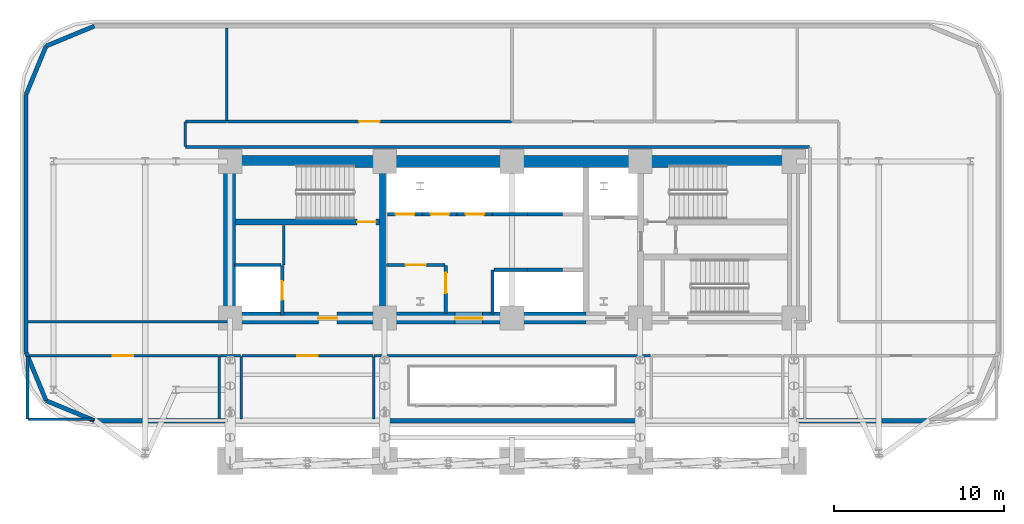
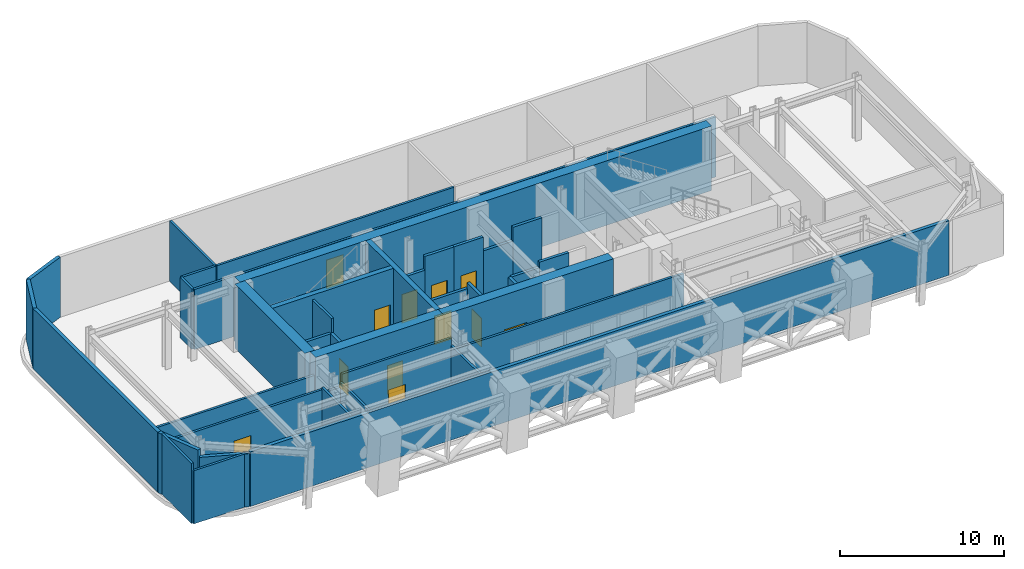
# One storey, part 8 of 12: 40 walls, 12 doors, 12 openings.
"""IFC4 building model written with IfcOpenShell, lengths in metres."""

from ifc_helpers import new_model, si_unit, direction, frame, frame_2d, origin, place, context, subcontext, project, spatial, rectangle, extrude, material, layer, layer_set, type_object, element, fill, save


model = new_model("IFC4")

# Units and contexts
model_context = context("Model", 3, precision=1e-05, world=origin(), true_north=direction((0.0, 1.0)))
body_context = subcontext(model_context, "Body", "Model", "MODEL_VIEW")
ifc_project = project(units=[si_unit("LENGTHUNIT", "METRE"), si_unit("AREAUNIT", "SQUARE_METRE"), si_unit("VOLUMEUNIT", "CUBIC_METRE"), si_unit("PLANEANGLEUNIT", "RADIAN"), si_unit("MASSUNIT", "GRAM", prefix="KILO")], contexts=[model_context])

# Site, building, storey
site_placement = place(None, origin())
site = spatial("IfcSite", under=ifc_project, at=site_placement, CompositionType="ELEMENT")
building_placement = place(site_placement, origin())
building = spatial("IfcBuilding", under=site, at=building_placement, Name="Zarnavel Station Tower", CompositionType="ELEMENT")
storey_placement = place(building_placement, frame((0.0, 0.0, 74.5)))
storey = spatial("IfcBuildingStorey", under=building, at=storey_placement, Name="L20", CompositionType="ELEMENT", Elevation=74.5)

# Wall
ifc_material_1 = material(Name="Concrete C50/60", Category="concrete")
ifc_layer_1 = layer(ifc_material_1, 0.35009765625)
ifc_layer_set_1 = layer_set([ifc_layer_1], Name="CW_350")
wall_type_1 = type_object("IfcWallType", Name="CW_350", PredefinedType="SHEAR", material=ifc_layer_set_1)
wall_1_placement = place(storey_placement, frame((21.179931640625, 28.169921875, 0.0), z_axis=(0.0, 0.0, 1.0), x_axis=(0.0, 1.0, 0.0)))
element("IfcWall", 1, at=wall_1_placement, inside=storey, type_object=wall_type_1, Name="L20 Rear Core Shear Wall DIV-W", PredefinedType="SHEAR", context=body_context, shape_type="SweptSolid", body=[
    extrude(rectangle(XDim=8.530029296875, YDim=0.35009765625, at=frame_2d((4.26513671875, 0.0))), origin(), (0.0, 0.0, 1.0), 4.800048828125),
])

# Wall, opening, door
wall_2_placement = place(storey_placement, frame((21.0048828125, 33.47998046875, 0.0), z_axis=(0.0, 0.0, 1.0), x_axis=(-1.0, 0.0, 0.0)))
wall_2 = element("IfcWall", 2, at=wall_2_placement, inside=storey, type_object=wall_type_1, Name="L20 Rear Core Shear Wall DIV-H1", PredefinedType="SHEAR", context=body_context, shape_type="SweptSolid", body=[
    extrude(rectangle(XDim=8.5048828125, YDim=0.35009765625, at=frame_2d((4.25244140625, 0.0))), origin(), (0.0, 0.0, 1.0), 4.800048828125),
])
opening_1_placement = place(wall_2_placement, frame((0.219970703125, 0.0, 0.0)))
opening_1 = element("IfcOpeningElement", 3, at=opening_1_placement, cuts=wall_2, Name="Opening FD01", PredefinedType="OPENING", context=body_context, shape_type="SweptSolid", body=[
    extrude(rectangle(XDim=1.10009765625, YDim=2.14990234375, at=frame_2d((0.550048828125, 1.074951171875))), frame((0.0, 0.18505859375, 0.0), z_axis=(0.0, -1.0, 0.0), x_axis=(1.0, 0.0, 0.0)), (0.0, 0.0, 1.0), 0.3701171875),
])
ifc_material_2 = material(Name="Painted Galvanised Steel and Hardwood Leaf", Category="steel")
door_type_1 = type_object("IfcDoorType", Name="ID_STAIR_1100", OperationType="NOTDEFINED", PredefinedType="DOOR", material=ifc_material_2)
door_1_placement = place(opening_1_placement, origin())
door_1 = element("IfcDoor", 4, at=door_1_placement, inside=storey, type_object=door_type_1, Name="L20 Stair ST1 Lobby Fire Door", OperationType="SINGLE_SWING_LEFT", OverallHeight=2.14990234375, OverallWidth=1.10009765625, PredefinedType="DOOR", context=body_context, shape_type="SweptSolid", body=[
    extrude(rectangle(XDim=1.10009765625, YDim=2.14990234375, at=frame_2d((0.550048828125, 1.074951171875))), frame((0.0, 0.02490234375, 0.0), z_axis=(0.0, -1.0, 0.0), x_axis=(1.0, 0.0, 0.0)), (0.0, 0.0, 1.0), 0.050048828125),
])
fill(opening_1, door_1)

# Wall
ifc_material_3 = material(Name="Concrete C60/75", Category="concrete")
ifc_layer_2 = layer(ifc_material_3, 0.699951171875)
ifc_layer_set_2 = layer_set([ifc_layer_2], Name="CW_700")
wall_type_2 = type_object("IfcWallType", Name="CW_700", PredefinedType="SHEAR", material=ifc_layer_set_2)
wall_3_placement = place(storey_placement, frame((12.14990234375, 37.050048828125, 0.0), z_axis=(0.0, 0.0, 1.0), x_axis=(1.0, 0.0, 0.0)))
element("IfcWall", 5, at=wall_3_placement, inside=storey, type_object=wall_type_2, Name="L20 Rear Core Shear Wall N", PredefinedType="SHEAR", context=body_context, shape_type="SweptSolid", body=[
    extrude(rectangle(XDim=33.22998046875, YDim=0.699951171875, at=frame_2d((16.614990234375, 0.0))), origin(), (0.0, 0.0, 1.0), 4.800048828125),
])

# Wall, opening, door
wall_4_placement = place(storey_placement, frame((21.179931640625, 27.820068359375, 0.0), z_axis=(0.0, 0.0, 1.0), x_axis=(-1.0, 0.0, 0.0)))
wall_4 = element("IfcWall", 6, at=wall_4_placement, inside=storey, type_object=wall_type_2, Name="L20 Rear Core Shear Wall S-W", PredefinedType="SHEAR", context=body_context, shape_type="SweptSolid", body=[
    extrude(rectangle(XDim=9.030029296875, YDim=0.699951171875, at=frame_2d((4.51513671875, 0.0))), origin(), (0.0, 0.0, 1.0), 4.800048828125),
])
opening_2_placement = place(wall_4_placement, frame((2.679931640625, 0.0, 0.0)))
opening_2 = element("IfcOpeningElement", 7, at=opening_2_placement, cuts=wall_4, Name="Opening FD01", PredefinedType="OPENING", context=body_context, shape_type="SweptSolid", body=[
    extrude(rectangle(XDim=1.10009765625, YDim=2.14990234375, at=frame_2d((0.550048828125, 1.074951171875))), frame((0.0, 0.35986328125, 0.0), z_axis=(0.0, -1.0, 0.0), x_axis=(1.0, 0.0, 0.0)), (0.0, 0.0, 1.0), 0.719970703125),
])
door_2_placement = place(opening_2_placement, origin())
door_2 = element("IfcDoor", 8, at=door_2_placement, inside=storey, type_object=door_type_1, Name="L20 West Firefighting Lobby Door", OperationType="SINGLE_SWING_RIGHT", OverallHeight=2.14990234375, OverallWidth=1.10009765625, PredefinedType="DOOR", context=body_context, shape_type="SweptSolid", body=[
    extrude(rectangle(XDim=1.10009765625, YDim=2.14990234375, at=frame_2d((0.550048828125, 1.074951171875))), frame((0.0, 0.02490234375, 0.0), z_axis=(0.0, -1.0, 0.0), x_axis=(1.0, 0.0, 0.0)), (0.0, 0.0, 1.0), 0.050048828125),
])
fill(opening_2, door_2)

wall_5_placement = place(storey_placement, frame((33.14990234375, 27.820068359375, 0.0), z_axis=(0.0, 0.0, 1.0), x_axis=(-1.0, 0.0, 0.0)))
wall_5 = element("IfcWall", 9, at=wall_5_placement, inside=storey, type_object=wall_type_2, Name="L20 Rear Core Shear Wall S-M", PredefinedType="SHEAR", context=body_context, shape_type="SweptSolid", body=[
    extrude(rectangle(XDim=11.969970703125, YDim=0.699951171875, at=frame_2d((5.98486328125, 0.0))), origin(), (0.0, 0.0, 1.0), 4.800048828125),
])
opening_3_placement = place(wall_5_placement, frame((6.10009765625, 0.0, 0.0)))
opening_3 = element("IfcOpeningElement", 10, at=opening_3_placement, cuts=wall_5, Name="Opening ID03", PredefinedType="OPENING", context=body_context, shape_type="SweptSolid", body=[
    extrude(rectangle(XDim=1.60009765625, YDim=2.199951171875, at=frame_2d((0.800048828125, 1.10009765625))), frame((0.0, 0.35986328125, 0.0), z_axis=(0.0, -1.0, 0.0), x_axis=(1.0, 0.0, 0.0)), (0.0, 0.0, 1.0), 0.719970703125),
])
ifc_material_4 = material(Name="Painted Galvanised Steel and Hardwood Leaf", Category="steel")
door_type_2 = type_object("IfcDoorType", Name="ID_PUBLIC_1600", OperationType="DOUBLE_DOOR_SINGLE_SWING", PredefinedType="DOOR", material=ifc_material_4)
door_3_placement = place(opening_3_placement, origin())
door_3 = element("IfcDoor", 11, at=door_3_placement, inside=storey, type_object=door_type_2, Name="L20 Passenger Lift Lobby Double Door", OperationType="SINGLE_SWING_LEFT", OverallHeight=2.199951171875, OverallWidth=1.60009765625, PredefinedType="DOOR", context=body_context, shape_type="SweptSolid", body=[
    extrude(rectangle(XDim=1.60009765625, YDim=2.199951171875, at=frame_2d((0.800048828125, 1.10009765625))), frame((0.0, 0.02490234375, 0.0), z_axis=(0.0, -1.0, 0.0), x_axis=(1.0, 0.0, 0.0)), (0.0, 0.0, 1.0), 0.050048828125),
])
fill(opening_3, door_3)

# Walls
wall_6_placement = place(storey_placement, frame((12.14990234375, 28.169921875, 0.0), z_axis=(0.0, 0.0, 1.0), x_axis=(0.0, 1.0, 0.0)))
element("IfcWall", 12, at=wall_6_placement, inside=storey, type_object=wall_type_2, Name="L20 Rear Core Shear Wall W", PredefinedType="SHEAR", context=body_context, shape_type="SweptSolid", body=[
    extrude(rectangle(XDim=8.530029296875, YDim=0.699951171875, at=frame_2d((4.26513671875, 0.0))), origin(), (0.0, 0.0, 1.0), 4.800048828125),
])
ifc_material_5 = material(Name="Precast concrete C45/55 (Basalt Spandrel)", Category="masonry")
ifc_layer_3 = layer(ifc_material_5, 0.25)
ifc_layer_set_3 = layer_set([ifc_layer_3], Name="EW_SPANDREL_250")
wall_type_3 = type_object("IfcWallType", Name="EW_SPANDREL_250", PredefinedType="SOLIDWALL", material=ifc_layer_set_3)
for number, where, z_axis, x_axis, name in (
    (13, (1.357421875, 43.842529296875, 0.0), (0.0, 0.0, 1.0), (0.923870793506, 0.382704529509, 0.0), "L20 Exterior Basalt Masonry Frame Wall 07"),
    (14, (0.179931640625, 41.0, 0.0), (0.0, 0.0, 1.0), (0.382704529509, 0.923870793506, 0.0), "L20 Exterior Basalt Masonry Frame Wall 08"),
):
    element("IfcWall", number, at=place(storey_placement, frame(where, z_axis=z_axis, x_axis=x_axis)), inside=storey, type_object=wall_type_3, Name=name, PredefinedType="SOLIDWALL", context=body_context, shape_type="SweptSolid", body=[
        extrude(rectangle(XDim=3.07666015625, YDim=0.25, at=frame_2d((1.538330078125, 0.0))), origin(), (0.0, 0.0, 1.0), 4.47998046875),
    ])
wall_7_placement = place(storey_placement, frame((0.179931640625, 25.800048828125, 0.0), z_axis=(0.0, 0.0, 1.0), x_axis=(0.0, 1.0, 0.0)))
element("IfcWall", 15, at=wall_7_placement, inside=storey, type_object=wall_type_3, Name="L20 Exterior Basalt Masonry Frame Wall 09", PredefinedType="SOLIDWALL", context=body_context, shape_type="SweptSolid", body=[
    extrude(rectangle(XDim=15.199951171875, YDim=0.25, at=frame_2d((7.60009765625, 0.0))), origin(), (0.0, 0.0, 1.0), 4.47998046875),
])
wall_8_placement = place(storey_placement, frame((1.357421875, 22.95751953125, 0.0), z_axis=(0.0, 0.0, 1.0), x_axis=(-0.382704529509, 0.923870793506, 0.0)))
element("IfcWall", 16, at=wall_8_placement, inside=storey, type_object=wall_type_3, Name="L20 Exterior Basalt Masonry Frame Wall 10", PredefinedType="SOLIDWALL", context=body_context, shape_type="SweptSolid", body=[
    extrude(rectangle(XDim=3.07666015625, YDim=0.25, at=frame_2d((1.538330078125, 0.0))), origin(), (0.0, 0.0, 1.0), 4.47998046875),
])
wall_9_placement = place(storey_placement, frame((4.199951171875, 21.780029296875, 0.0), z_axis=(0.0, 0.0, 1.0), x_axis=(-0.923870793506, 0.382704529509, 0.0)))
element("IfcWall", 17, at=wall_9_placement, inside=storey, type_object=wall_type_3, Name="L20 Exterior Basalt Masonry Frame Wall 11", PredefinedType="SOLIDWALL", context=body_context, shape_type="SweptSolid", body=[
    extrude(rectangle(XDim=3.07666015625, YDim=0.25, at=frame_2d((1.538330078125, 0.0))), origin(), (0.0, 0.0, 1.0), 3.9599609375),
])
wall_10_placement = place(storey_placement, frame((53.39990234375, 21.780029296875, 0.0), z_axis=(0.0, 0.0, 1.0), x_axis=(-1.0, 0.0, 0.0)))
element("IfcWall", 18, at=wall_10_placement, inside=storey, type_object=wall_type_3, Name="L20 Exterior Basalt Masonry Frame Wall 12", PredefinedType="SOLIDWALL", context=body_context, shape_type="SweptSolid", body=[
    extrude(rectangle(XDim=49.199951171875, YDim=0.25, at=frame_2d((24.60009765625, 0.0))), origin(), (0.0, 0.0, 1.0), 4.070068359375),
])

# Wall, opening, door
ifc_material_6 = material(Name="Gypsum Twin-Stud Acoustic Fire Partition", Category="concrete")
ifc_layer_4 = layer(ifc_material_6, 0.159912109375)
ifc_layer_set_4 = layer_set([ifc_layer_4], Name="PT_DEMISE_160")
wall_type_4 = type_object("IfcWallType", Name="PT_DEMISE_160", PredefinedType="PARTITIONING", material=ifc_layer_set_4)
wall_11_placement = place(storey_placement, frame((0.260009765625, 25.60009765625, 0.0), z_axis=(0.0, 0.0, 1.0), x_axis=(1.0, 0.0, 0.0)))
wall_11 = element("IfcWall", 19, at=wall_11_placement, inside=storey, type_object=wall_type_4, Name="L20 Partition PCOR-REFG", PredefinedType="PARTITIONING", context=body_context, shape_type="SweptSolid", body=[
    extrude(rectangle(XDim=11.25, YDim=0.159912109375, at=frame_2d((5.625, 0.0))), origin(), (0.0, 0.0, 1.0), 3.81005859375),
])
opening_4_placement = place(wall_11_placement, frame((5.02490234375, 0.0, 0.0)))
opening_4 = element("IfcOpeningElement", 20, at=opening_4_placement, cuts=wall_11, Name="Opening FD03", PredefinedType="OPENING", context=body_context, shape_type="SweptSolid", body=[
    extrude(rectangle(XDim=1.199951171875, YDim=2.14990234375, at=frame_2d((0.60009765625, 1.074951171875))), frame((0.0, 0.08984375, 0.0), z_axis=(0.0, -1.0, 0.0), x_axis=(1.0, 0.0, 0.0)), (0.0, 0.0, 1.0), 0.179931640625),
])
ifc_material_7 = material(Name="Painted Galvanised Steel and Hardwood Leaf", Category="steel")
door_type_3 = type_object("IfcDoorType", Name="ID_PLANT_1200", OperationType="NOTDEFINED", PredefinedType="DOOR", material=ifc_material_7)
door_4_placement = place(opening_4_placement, origin())
door_4 = element("IfcDoor", 21, at=door_4_placement, inside=storey, type_object=door_type_3, Name="L20 Door PCOR-REFG", OperationType="SINGLE_SWING_LEFT", OverallHeight=2.14990234375, OverallWidth=1.199951171875, PredefinedType="DOOR", context=body_context, shape_type="SweptSolid", body=[
    extrude(rectangle(XDim=1.199951171875, YDim=2.14990234375, at=frame_2d((0.60009765625, 1.074951171875))), frame((0.0, 0.02490234375, 0.0), z_axis=(0.0, -1.0, 0.0), x_axis=(1.0, 0.0, 0.0)), (0.0, 0.0, 1.0), 0.050048828125),
])
fill(opening_4, door_4)

wall_12_placement = place(storey_placement, frame((12.889892578125, 25.60009765625, 0.0), z_axis=(0.0, 0.0, 1.0), x_axis=(1.0, 0.0, 0.0)))
wall_12 = element("IfcWall", 22, at=wall_12_placement, inside=storey, type_object=wall_type_4, Name="L20 Partition PCOR-AHU1", PredefinedType="PARTITIONING", context=body_context, shape_type="SweptSolid", body=[
    extrude(rectangle(XDim=7.72021484375, YDim=0.159912109375, at=frame_2d((3.860107421875, 0.0))), origin(), (0.0, 0.0, 1.0), 4.47998046875),
])
opening_5_placement = place(wall_12_placement, frame((3.260009765625, 0.0, 0.0)))
opening_5 = element("IfcOpeningElement", 23, at=opening_5_placement, cuts=wall_12, Name="Opening FD03", PredefinedType="OPENING", context=body_context, shape_type="SweptSolid", body=[
    extrude(rectangle(XDim=1.199951171875, YDim=2.14990234375, at=frame_2d((0.60009765625, 1.074951171875))), frame((0.0, 0.08984375, 0.0), z_axis=(0.0, -1.0, 0.0), x_axis=(1.0, 0.0, 0.0)), (0.0, 0.0, 1.0), 0.179931640625),
])
door_5_placement = place(opening_5_placement, origin())
door_5 = element("IfcDoor", 24, at=door_5_placement, inside=storey, type_object=door_type_3, Name="L20 Door PCOR-AHU1", OperationType="SINGLE_SWING_RIGHT", OverallHeight=2.14990234375, OverallWidth=1.199951171875, PredefinedType="DOOR", context=body_context, shape_type="SweptSolid", body=[
    extrude(rectangle(XDim=1.199951171875, YDim=2.14990234375, at=frame_2d((0.60009765625, 1.074951171875))), frame((0.0, 0.02490234375, 0.0), z_axis=(0.0, -1.0, 0.0), x_axis=(1.0, 0.0, 0.0)), (0.0, 0.0, 1.0), 0.050048828125),
])
fill(opening_5, door_5)

wall_13_placement = place(storey_placement, frame((12.0400390625, 39.39990234375, 0.0), z_axis=(0.0, 0.0, 1.0), x_axis=(1.0, 0.0, 0.0)))
wall_13 = element("IfcWall", 25, at=wall_13_placement, inside=storey, type_object=wall_type_4, Name="L20 Partition PCOR-N-REFG2", PredefinedType="PARTITIONING", context=body_context, shape_type="SweptSolid", body=[
    extrude(rectangle(XDim=16.719970703125, YDim=0.159912109375, at=frame_2d((8.35986328125, 0.0))), origin(), (0.0, 0.0, 1.0), 4.47998046875),
])
opening_6_placement = place(wall_13_placement, frame((7.760009765625, 0.0, 0.0)))
opening_6 = element("IfcOpeningElement", 26, at=opening_6_placement, cuts=wall_13, Name="Opening FD03", PredefinedType="OPENING", context=body_context, shape_type="SweptSolid", body=[
    extrude(rectangle(XDim=1.199951171875, YDim=2.14990234375, at=frame_2d((0.60009765625, 1.074951171875))), frame((0.0, 0.08984375, 0.0), z_axis=(0.0, -1.0, 0.0), x_axis=(1.0, 0.0, 0.0)), (0.0, 0.0, 1.0), 0.179931640625),
])
door_6_placement = place(opening_6_placement, origin())
door_6 = element("IfcDoor", 27, at=door_6_placement, inside=storey, type_object=door_type_3, Name="L20 Door PCOR-N-REFG2", OperationType="SINGLE_SWING_LEFT", OverallHeight=2.14990234375, OverallWidth=1.199951171875, PredefinedType="DOOR", context=body_context, shape_type="SweptSolid", body=[
    extrude(rectangle(XDim=1.199951171875, YDim=2.14990234375, at=frame_2d((0.60009765625, 1.074951171875))), frame((0.0, 0.02490234375, 0.0), z_axis=(0.0, -1.0, 0.0), x_axis=(1.0, 0.0, 0.0)), (0.0, 0.0, 1.0), 0.050048828125),
])
fill(opening_6, door_6)

# Walls
wall_14_placement = place(storey_placement, frame((15.35009765625, 30.9599609375, 0.0), z_axis=(0.0, 0.0, 1.0), x_axis=(0.0, 1.0, 0.0)))
element("IfcWall", 28, at=wall_14_placement, inside=storey, type_object=wall_type_4, Name="L20 Enclosure Wall FFL1", PredefinedType="PARTITIONING", context=body_context, shape_type="SweptSolid", body=[
    extrude(rectangle(XDim=2.31005859375, YDim=0.159912109375, at=frame_2d((1.155029296875, 0.0))), origin(), (0.0, 0.0, 1.0), 4.47998046875),
])
wall_15_placement = place(storey_placement, frame((11.580078125, 25.60009765625, 0.0), z_axis=(0.0, 0.0, 1.0), x_axis=(1.0, 0.0, 0.0)))
element("IfcWall", 29, at=wall_15_placement, inside=storey, type_object=wall_type_4, Name="L20 Enclosure Wall PCOR", PredefinedType="PARTITIONING", context=body_context, shape_type="SweptSolid", body=[
    extrude(rectangle(XDim=1.239990234375, YDim=0.159912109375, at=frame_2d((0.6201171875, 0.0))), origin(), (0.0, 0.0, 1.0), 3.550048828125),
])
wall_16_placement = place(storey_placement, frame((20.679931640625, 25.60009765625, 0.0), z_axis=(0.0, 0.0, 1.0), x_axis=(1.0, 0.0, 0.0)))
element("IfcWall", 30, at=wall_16_placement, inside=storey, type_object=wall_type_4, Name="L20 Enclosure Wall PCOR", PredefinedType="PARTITIONING", context=body_context, shape_type="SweptSolid", body=[
    extrude(rectangle(XDim=16.2900390625, YDim=0.159912109375, at=frame_2d((8.14501953125, 0.0))), origin(), (0.0, 0.0, 1.0), 3.550048828125),
])
wall_17_placement = place(storey_placement, frame((0.2900390625, 27.60009765625, 0.0), z_axis=(0.0, 0.0, 1.0), x_axis=(1.0, 0.0, 0.0)))
element("IfcWall", 31, at=wall_17_placement, inside=storey, type_object=wall_type_4, Name="L20 Enclosure Wall PCOR", PredefinedType="PARTITIONING", context=body_context, shape_type="SweptSolid", body=[
    extrude(rectangle(XDim=11.830078125, YDim=0.159912109375, at=frame_2d((5.9150390625, 0.0))), origin(), (0.0, 0.0, 1.0), 3.451904296875),
])
wall_18_placement = place(storey_placement, frame((9.580078125, 37.89990234375, 0.0), z_axis=(0.0, 0.0, 1.0), x_axis=(1.0, 0.0, 0.0)))
element("IfcWall", 32, at=wall_18_placement, inside=storey, type_object=wall_type_4, Name="L20 Enclosure Wall PCOR-N", PredefinedType="PARTITIONING", context=body_context, shape_type="SweptSolid", body=[
    extrude(rectangle(XDim=36.739990234375, YDim=0.159912109375, at=frame_2d((18.3701171875, 0.0))), origin(), (0.0, 0.0, 1.0), 4.47998046875),
])
wall_19_placement = place(storey_placement, frame((9.580078125, 39.39990234375, 0.0), z_axis=(0.0, 0.0, 1.0), x_axis=(1.0, 0.0, 0.0)))
element("IfcWall", 33, at=wall_19_placement, inside=storey, type_object=wall_type_4, Name="L20 Enclosure Wall PCOR-N", PredefinedType="PARTITIONING", context=body_context, shape_type="SweptSolid", body=[
    extrude(rectangle(XDim=2.389892578125, YDim=0.159912109375, at=frame_2d((1.19482421875, 0.0))), origin(), (0.0, 0.0, 1.0), 4.47998046875),
])
wall_20_placement = place(storey_placement, frame((9.550048828125, 37.929931640625, 0.0), z_axis=(0.0, 0.0, 1.0), x_axis=(0.0, 1.0, 0.0)))
element("IfcWall", 34, at=wall_20_placement, inside=storey, type_object=wall_type_4, Name="L20 Enclosure Wall PCOR-N", PredefinedType="PARTITIONING", context=body_context, shape_type="SweptSolid", body=[
    extrude(rectangle(XDim=1.440185546875, YDim=0.159912109375, at=frame_2d((0.72021484375, 0.0))), origin(), (0.0, 0.0, 1.0), 4.47998046875),
])
wall_21_placement = place(storey_placement, frame((0.2900390625, 21.860107421875, 0.0), z_axis=(0.0, 0.0, 1.0), x_axis=(1.0, 0.0, 0.0)))
element("IfcWall", 35, at=wall_21_placement, inside=storey, type_object=wall_type_4, Name="L20 Enclosure Wall REFG", PredefinedType="PARTITIONING", context=body_context, shape_type="SweptSolid", body=[
    extrude(rectangle(XDim=3.8798828125, YDim=0.159912109375, at=frame_2d((1.93994140625, 0.0))), origin(), (0.0, 0.0, 1.0), 3.9599609375),
])
wall_22_placement = place(storey_placement, frame((0.260009765625, 21.889892578125, 0.0), z_axis=(0.0, 0.0, 1.0), x_axis=(0.0, 1.0, 0.0)))
element("IfcWall", 36, at=wall_22_placement, inside=storey, type_object=wall_type_4, Name="L20 Enclosure Wall REFG", PredefinedType="PARTITIONING", context=body_context, shape_type="SweptSolid", body=[
    extrude(rectangle(XDim=3.68017578125, YDim=0.159912109375, at=frame_2d((1.840087890625, 0.0))), origin(), (0.0, 0.0, 1.0), 4.47998046875),
])
wall_23_placement = place(storey_placement, frame((11.550048828125, 21.889892578125, 0.0), z_axis=(0.0, 0.0, 1.0), x_axis=(0.0, 1.0, 0.0)))
element("IfcWall", 37, at=wall_23_placement, inside=storey, type_object=wall_type_4, Name="L20 Enclosure Wall REFG", PredefinedType="PARTITIONING", context=body_context, shape_type="SweptSolid", body=[
    extrude(rectangle(XDim=3.68017578125, YDim=0.159912109375, at=frame_2d((1.840087890625, 0.0))), origin(), (0.0, 0.0, 1.0), 3.9599609375),
])
for number, where, z_axis, x_axis, name in (
    (38, (12.85009765625, 21.889892578125, 0.0), (0.0, 0.0, 1.0), (0.0, 1.0, 0.0), "L20 Enclosure Wall AHU1"),
    (39, (20.64990234375, 21.889892578125, 0.0), (0.0, 0.0, 1.0), (0.0, 1.0, 0.0), "L20 Enclosure Wall AHU1"),
):
    element("IfcWall", number, at=place(storey_placement, frame(where, z_axis=z_axis, x_axis=x_axis)), inside=storey, type_object=wall_type_4, Name=name, PredefinedType="PARTITIONING", context=body_context, shape_type="SweptSolid", body=[
        extrude(rectangle(XDim=3.68017578125, YDim=0.159912109375, at=frame_2d((1.840087890625, 0.0))), origin(), (0.0, 0.0, 1.0), 3.909912109375),
    ])
wall_24_placement = place(storey_placement, frame((12.0, 39.429931640625, 0.0), z_axis=(0.0, 0.0, 1.0), x_axis=(0.0, 1.0, 0.0)))
element("IfcWall", 40, at=wall_24_placement, inside=storey, type_object=wall_type_4, Name="L20 Enclosure Wall REFG2", PredefinedType="PARTITIONING", context=body_context, shape_type="SweptSolid", body=[
    extrude(rectangle(XDim=5.47998046875, YDim=0.159912109375, at=frame_2d((2.739990234375, 0.0))), origin(), (0.0, 0.0, 1.0), 4.47998046875),
])

# Wall, opening, door
ifc_material_8 = material(Name="Precast concrete C45/55 (Fire Shaft Blockwork)", Category="masonry")
ifc_layer_5 = layer(ifc_material_8, 0.199951171875)
ifc_layer_set_5 = layer_set([ifc_layer_5], Name="PT_SHAFT_200")
wall_type_5 = type_object("IfcWallType", Name="PT_SHAFT_200", PredefinedType="PARTITIONING", material=ifc_layer_set_5)
wall_25_placement = place(storey_placement, frame((15.27001953125, 27.969970703125, 0.0), z_axis=(0.0, 0.0, 1.0), x_axis=(0.0, 1.0, 0.0)))
wall_25 = element("IfcWall", 41, at=wall_25_placement, inside=storey, type_object=wall_type_5, Name="L20 Lift FFL-01 Shaft Front Wall", PredefinedType="PARTITIONING", context=body_context, shape_type="SweptSolid", body=[
    extrude(rectangle(XDim=2.9599609375, YDim=0.199951171875, at=frame_2d((1.47998046875, 0.0))), origin(), (0.0, 0.0, 1.0), 3.451904296875),
])
opening_7_placement = place(wall_25_placement, frame((0.929931640625, 0.0, 0.0)))
opening_7 = element("IfcOpeningElement", 42, at=opening_7_placement, cuts=wall_25, Name="Opening LD01", PredefinedType="OPENING", context=body_context, shape_type="SweptSolid", body=[
    extrude(rectangle(XDim=1.10009765625, YDim=2.14990234375, at=frame_2d((0.550048828125, 1.074951171875))), frame((0.0, 0.10986328125, 0.0), z_axis=(0.0, -1.0, 0.0), x_axis=(1.0, 0.0, 0.0)), (0.0, 0.0, 1.0), 0.219970703125),
])
ifc_material_9 = material(Name="Painted Galvanised Steel and Hardwood Leaf", Category="steel")
door_type_4 = type_object("IfcDoorType", Name="LD_FF_1100", OperationType="DOUBLE_DOOR_SLIDING", PredefinedType="DOOR", material=ifc_material_9)
door_7_placement = place(opening_7_placement, origin())
door_7 = element("IfcDoor", 43, at=door_7_placement, inside=storey, type_object=door_type_4, Name="L20 Lift FFL-01 Sliding Landing Door", OperationType="DOUBLE_DOOR_SLIDING", OverallHeight=2.14990234375, OverallWidth=1.10009765625, PredefinedType="DOOR", context=body_context, shape_type="SweptSolid", body=[
    extrude(rectangle(XDim=1.10009765625, YDim=2.14990234375, at=frame_2d((0.550048828125, 1.074951171875))), frame((0.0, 0.02490234375, 0.0), z_axis=(0.0, -1.0, 0.0), x_axis=(1.0, 0.0, 0.0)), (0.0, 0.0, 1.0), 0.050048828125),
])
fill(opening_7, door_7)

# Walls
wall_26_placement = place(storey_placement, frame((12.449951171875, 30.949951171875, 0.0), z_axis=(0.0, 0.0, 1.0), x_axis=(1.0, 0.0, 0.0)))
element("IfcWall", 44, at=wall_26_placement, inside=storey, type_object=wall_type_5, Name="L20 Lift FFL-01 North Shaft Wall", PredefinedType="PARTITIONING", context=body_context, shape_type="SweptSolid", body=[
    extrude(rectangle(XDim=2.75, YDim=0.199951171875, at=frame_2d((1.375, 0.0))), origin(), (0.0, 0.0, 1.0), 3.451904296875),
])
wall_27_placement = place(storey_placement, frame((27.75, 30.669921875, 0.0), z_axis=(0.0, 0.0, 1.0), x_axis=(1.0, 0.0, 0.0)))
element("IfcWall", 45, at=wall_27_placement, inside=storey, type_object=wall_type_5, Name="L20 Lift PL-H1 Shaft Front Wall", PredefinedType="PARTITIONING", context=body_context, shape_type="SweptSolid", body=[
    extrude(rectangle(XDim=1.97509765625, YDim=0.199951171875, at=frame_2d((0.987548828125, 0.0))), origin(), (0.0, 0.0, 1.0), 3.451904296875),
])
wall_28_placement = place(storey_placement, frame((27.64990234375, 28.070068359375, 0.0), z_axis=(0.0, 0.0, 1.0), x_axis=(0.0, 1.0, 0.0)))
element("IfcWall", 46, at=wall_28_placement, inside=storey, type_object=wall_type_5, Name="L20 High-Rise Lift Bank West Shaft Wall", PredefinedType="PARTITIONING", context=body_context, shape_type="SweptSolid", body=[
    extrude(rectangle(XDim=2.579833984375, YDim=0.199951171875, at=frame_2d((1.2900390625, 0.0))), origin(), (0.0, 0.0, 1.0), 3.451904296875),
])
wall_29_placement = place(storey_placement, frame((29.72509765625, 30.669921875, 0.0), z_axis=(0.0, 0.0, 1.0), x_axis=(1.0, 0.0, 0.0)))
element("IfcWall", 47, at=wall_29_placement, inside=storey, type_object=wall_type_5, Name="L20 Lift PL-H2 Shaft Front Wall", PredefinedType="PARTITIONING", context=body_context, shape_type="SweptSolid", body=[
    extrude(rectangle(XDim=2.0498046875, YDim=0.199951171875, at=frame_2d((1.02490234375, 0.0))), origin(), (0.0, 0.0, 1.0), 3.860107421875),
])

# Wall, opening, door
wall_30_placement = place(storey_placement, frame((21.4599609375, 33.929931640625, 0.0), z_axis=(0.0, 0.0, 1.0), x_axis=(1.0, 0.0, 0.0)))
wall_30 = element("IfcWall", 48, at=wall_30_placement, inside=storey, type_object=wall_type_5, Name="L20 Lift PL-L1 Shaft Front Wall", PredefinedType="PARTITIONING", context=body_context, shape_type="SweptSolid", body=[
    extrude(rectangle(XDim=2.06494140625, YDim=0.199951171875, at=frame_2d((1.032470703125, 0.0))), origin(), (0.0, 0.0, 1.0), 3.451904296875),
])
opening_8_placement = place(wall_30_placement, frame((0.482421875, 0.0, 0.0)))
opening_8 = element("IfcOpeningElement", 49, at=opening_8_placement, cuts=wall_30, Name="Opening LD02", PredefinedType="OPENING", context=body_context, shape_type="SweptSolid", body=[
    extrude(rectangle(XDim=1.10009765625, YDim=2.14990234375, at=frame_2d((0.550048828125, 1.074951171875))), frame((0.0, 0.10986328125, 0.0), z_axis=(0.0, -1.0, 0.0), x_axis=(1.0, 0.0, 0.0)), (0.0, 0.0, 1.0), 0.219970703125),
])
ifc_material_10 = material(Name="Painted Galvanised Steel and Hardwood Leaf", Category="steel")
door_type_5 = type_object("IfcDoorType", Name="LD_PAX_1100", OperationType="DOUBLE_DOOR_SLIDING", PredefinedType="DOOR", material=ifc_material_10)
door_8_placement = place(opening_8_placement, origin())
door_8 = element("IfcDoor", 50, at=door_8_placement, inside=storey, type_object=door_type_5, Name="L20 Lift PL-L1 Sliding Landing Door", OperationType="DOUBLE_DOOR_SLIDING", OverallHeight=2.14990234375, OverallWidth=1.10009765625, PredefinedType="DOOR", context=body_context, shape_type="SweptSolid", body=[
    extrude(rectangle(XDim=1.10009765625, YDim=2.14990234375, at=frame_2d((0.550048828125, 1.074951171875))), frame((0.0, 0.02490234375, 0.0), z_axis=(0.0, -1.0, 0.0), x_axis=(1.0, 0.0, 0.0)), (0.0, 0.0, 1.0), 0.050048828125),
])
fill(opening_8, door_8)

wall_31_placement = place(storey_placement, frame((23.52490234375, 33.929931640625, 0.0), z_axis=(0.0, 0.0, 1.0), x_axis=(1.0, 0.0, 0.0)))
wall_31 = element("IfcWall", 51, at=wall_31_placement, inside=storey, type_object=wall_type_5, Name="L20 Lift PL-L2 Shaft Front Wall", PredefinedType="PARTITIONING", context=body_context, shape_type="SweptSolid", body=[
    extrude(rectangle(XDim=2.050048828125, YDim=0.199951171875, at=frame_2d((1.02490234375, 0.0))), origin(), (0.0, 0.0, 1.0), 4.47998046875),
])
opening_9_placement = place(wall_31_placement, frame((0.47509765625, 0.0, 0.0)))
opening_9 = element("IfcOpeningElement", 52, at=opening_9_placement, cuts=wall_31, Name="Opening LD02", PredefinedType="OPENING", context=body_context, shape_type="SweptSolid", body=[
    extrude(rectangle(XDim=1.10009765625, YDim=2.14990234375, at=frame_2d((0.550048828125, 1.074951171875))), frame((0.0, 0.10986328125, 0.0), z_axis=(0.0, -1.0, 0.0), x_axis=(1.0, 0.0, 0.0)), (0.0, 0.0, 1.0), 0.219970703125),
])
door_9_placement = place(opening_9_placement, origin())
door_9 = element("IfcDoor", 53, at=door_9_placement, inside=storey, type_object=door_type_5, Name="L20 Lift PL-L2 Sliding Landing Door", OperationType="DOUBLE_DOOR_SLIDING", OverallHeight=2.14990234375, OverallWidth=1.10009765625, PredefinedType="DOOR", context=body_context, shape_type="SweptSolid", body=[
    extrude(rectangle(XDim=1.10009765625, YDim=2.14990234375, at=frame_2d((0.550048828125, 1.074951171875))), frame((0.0, 0.02490234375, 0.0), z_axis=(0.0, -1.0, 0.0), x_axis=(1.0, 0.0, 0.0)), (0.0, 0.0, 1.0), 0.050048828125),
])
fill(opening_9, door_9)

wall_32_placement = place(storey_placement, frame((25.574951171875, 33.929931640625, 0.0), z_axis=(0.0, 0.0, 1.0), x_axis=(1.0, 0.0, 0.0)))
wall_32 = element("IfcWall", 54, at=wall_32_placement, inside=storey, type_object=wall_type_5, Name="L20 Lift PL-L3 Shaft Front Wall", PredefinedType="PARTITIONING", context=body_context, shape_type="SweptSolid", body=[
    extrude(rectangle(XDim=2.074951171875, YDim=0.199951171875, at=frame_2d((1.03759765625, 0.0))), origin(), (0.0, 0.0, 1.0), 4.47998046875),
])
opening_10_placement = place(wall_32_placement, frame((0.487548828125, 0.0, 0.0)))
opening_10 = element("IfcOpeningElement", 55, at=opening_10_placement, cuts=wall_32, Name="Opening LD02", PredefinedType="OPENING", context=body_context, shape_type="SweptSolid", body=[
    extrude(rectangle(XDim=1.10009765625, YDim=2.14990234375, at=frame_2d((0.550048828125, 1.074951171875))), frame((0.0, 0.10986328125, 0.0), z_axis=(0.0, -1.0, 0.0), x_axis=(1.0, 0.0, 0.0)), (0.0, 0.0, 1.0), 0.219970703125),
])
door_10_placement = place(opening_10_placement, origin())
door_10 = element("IfcDoor", 56, at=door_10_placement, inside=storey, type_object=door_type_5, Name="L20 Lift PL-L3 Sliding Landing Door", OperationType="DOUBLE_DOOR_SLIDING", OverallHeight=2.14990234375, OverallWidth=1.10009765625, PredefinedType="DOOR", context=body_context, shape_type="SweptSolid", body=[
    extrude(rectangle(XDim=1.10009765625, YDim=2.14990234375, at=frame_2d((0.550048828125, 1.074951171875))), frame((0.0, 0.02490234375, 0.0), z_axis=(0.0, -1.0, 0.0), x_axis=(1.0, 0.0, 0.0)), (0.0, 0.0, 1.0), 0.050048828125),
])
fill(opening_10, door_10)

# Walls
wall_33_placement = place(storey_placement, frame((27.64990234375, 33.929931640625, 0.0), z_axis=(0.0, 0.0, 1.0), x_axis=(1.0, 0.0, 0.0)))
element("IfcWall", 57, at=wall_33_placement, inside=storey, type_object=wall_type_5, Name="L20 Lift PL-M1 Shaft Front Wall", PredefinedType="PARTITIONING", context=body_context, shape_type="SweptSolid", body=[
    extrude(rectangle(XDim=2.0751953125, YDim=0.199951171875, at=frame_2d((1.03759765625, 0.0))), origin(), (0.0, 0.0, 1.0), 3.451904296875),
])
wall_34_placement = place(storey_placement, frame((29.72509765625, 33.929931640625, 0.0), z_axis=(0.0, 0.0, 1.0), x_axis=(1.0, 0.0, 0.0)))
element("IfcWall", 58, at=wall_34_placement, inside=storey, type_object=wall_type_5, Name="L20 Lift PL-M2 Shaft Front Wall", PredefinedType="PARTITIONING", context=body_context, shape_type="SweptSolid", body=[
    extrude(rectangle(XDim=2.0498046875, YDim=0.199951171875, at=frame_2d((1.02490234375, 0.0))), origin(), (0.0, 0.0, 1.0), 4.47998046875),
])

# Wall, opening, door
wall_35_placement = place(storey_placement, frame((21.39990234375, 30.949951171875, 0.0), z_axis=(0.0, 0.0, 1.0), x_axis=(1.0, 0.0, 0.0)))
wall_35 = element("IfcWall", 59, at=wall_35_placement, inside=storey, type_object=wall_type_5, Name="L20 Partition LLOB-CS1", PredefinedType="PARTITIONING", context=body_context, shape_type="SweptSolid", body=[
    extrude(rectangle(XDim=3.460205078125, YDim=0.199951171875, at=frame_2d((1.72998046875, 0.0))), origin(), (0.0, 0.0, 1.0), 3.451904296875),
])
opening_11_placement = place(wall_35_placement, frame((1.1298828125, 0.0, 0.0)))
opening_11 = element("IfcOpeningElement", 60, at=opening_11_placement, cuts=wall_35, Name="Opening FD03", PredefinedType="OPENING", context=body_context, shape_type="SweptSolid", body=[
    extrude(rectangle(XDim=1.199951171875, YDim=2.14990234375, at=frame_2d((0.60009765625, 1.074951171875))), frame((0.0, 0.10986328125, 0.0), z_axis=(0.0, -1.0, 0.0), x_axis=(1.0, 0.0, 0.0)), (0.0, 0.0, 1.0), 0.219970703125),
])
door_11_placement = place(opening_11_placement, origin())
door_11 = element("IfcDoor", 61, at=door_11_placement, inside=storey, type_object=door_type_3, Name="L20 Door LLOB-CS1", OperationType="SINGLE_SWING_LEFT", OverallHeight=2.14990234375, OverallWidth=1.199951171875, PredefinedType="DOOR", context=body_context, shape_type="SweptSolid", body=[
    extrude(rectangle(XDim=1.199951171875, YDim=2.14990234375, at=frame_2d((0.60009765625, 1.074951171875))), frame((0.0, 0.02490234375, 0.0), z_axis=(0.0, -1.0, 0.0), x_axis=(1.0, 0.0, 0.0)), (0.0, 0.0, 1.0), 0.050048828125),
])
fill(opening_11, door_11)

wall_36_placement = place(storey_placement, frame((24.89990234375, 28.090087890625, 0.0), z_axis=(0.0, 0.0, 1.0), x_axis=(0.0, 1.0, 0.0)))
wall_36 = element("IfcWall", 62, at=wall_36_placement, inside=storey, type_object=wall_type_5, Name="L20 Partition LLOBS-CS1", PredefinedType="PARTITIONING", context=body_context, shape_type="SweptSolid", body=[
    extrude(rectangle(XDim=2.81982421875, YDim=0.199951171875, at=frame_2d((1.409912109375, 0.0))), origin(), (0.0, 0.0, 1.0), 3.860107421875),
])
opening_12_placement = place(wall_36_placement, frame((1.20068359375, 0.0, 0.0)))
opening_12 = element("IfcOpeningElement", 63, at=opening_12_placement, cuts=wall_36, Name="Opening FD03", PredefinedType="OPENING", context=body_context, shape_type="SweptSolid", body=[
    extrude(rectangle(XDim=1.199951171875, YDim=2.14990234375, at=frame_2d((0.60009765625, 1.074951171875))), frame((0.0, 0.10986328125, 0.0), z_axis=(0.0, -1.0, 0.0), x_axis=(1.0, 0.0, 0.0)), (0.0, 0.0, 1.0), 0.219970703125),
])
door_12_placement = place(opening_12_placement, origin())
door_12 = element("IfcDoor", 64, at=door_12_placement, inside=storey, type_object=door_type_3, Name="L20 Door LLOBS-CS1", OperationType="SINGLE_SWING_RIGHT", OverallHeight=2.14990234375, OverallWidth=1.199951171875, PredefinedType="DOOR", context=body_context, shape_type="SweptSolid", body=[
    extrude(rectangle(XDim=1.199951171875, YDim=2.14990234375, at=frame_2d((0.60009765625, 1.074951171875))), frame((0.0, 0.02490234375, 0.0), z_axis=(0.0, -1.0, 0.0), x_axis=(1.0, 0.0, 0.0)), (0.0, 0.0, 1.0), 0.050048828125),
])
fill(opening_12, door_12)

save(model, "model.ifc")
